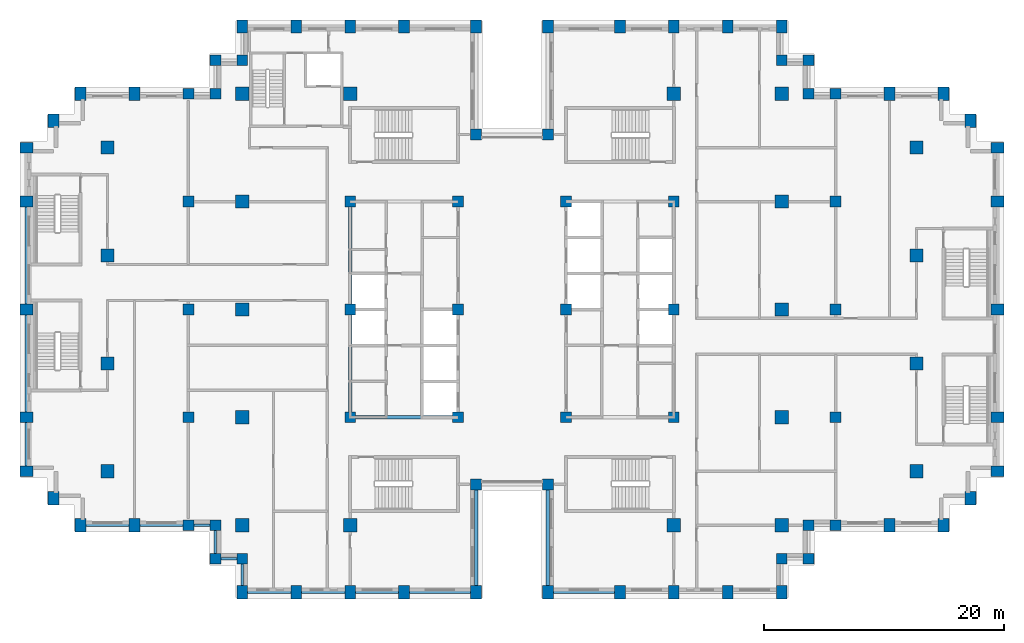
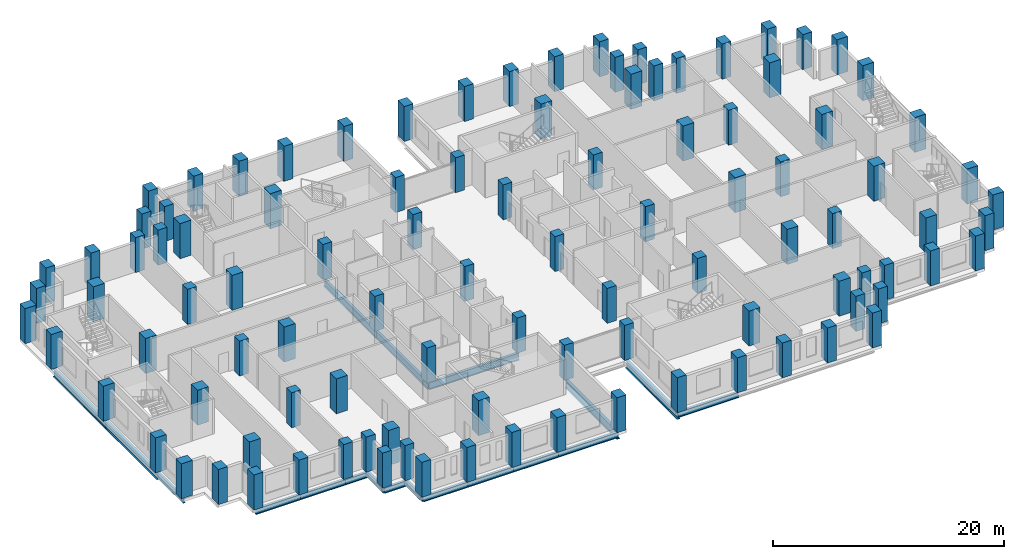
# One storey, part 1 of 15: 102 columns, 19 beams.
"""IFC4 building model written with IfcOpenShell, lengths in metres."""

from ifc_helpers import new_model, si_unit, direction, frame, origin, origin_2d, place, context, subcontext, project, spatial, rectangle, i_section, extrude, material, material_profile, profile_set, type_object, element, save


model = new_model("IFC4")

# Units and contexts
model_context = context("Model", 3, precision=1e-05, world=origin(), true_north=direction((0.0, 1.0)))
body_context = subcontext(model_context, "Body", "Model", "MODEL_VIEW")
ifc_project = project(units=[si_unit("LENGTHUNIT", "METRE"), si_unit("AREAUNIT", "SQUARE_METRE"), si_unit("VOLUMEUNIT", "CUBIC_METRE"), si_unit("PLANEANGLEUNIT", "RADIAN"), si_unit("MASSUNIT", "GRAM", prefix="KILO")], contexts=[model_context])

# Site, building, storey
site_placement = place(None, origin())
site = spatial("IfcSite", under=ifc_project, at=site_placement, CompositionType="ELEMENT")
building_placement = place(site_placement, origin())
building = spatial("IfcBuilding", under=site, at=building_placement, Name="Corbelhall Arena Tower", CompositionType="ELEMENT")
storey_placement = place(building_placement, frame((0.0, 0.0, 130.0)))
storey = spatial("IfcBuildingStorey", under=building, at=storey_placement, Name="L24", CompositionType="ELEMENT", Elevation=130.0)

# Columns
ifc_material_1 = material(Name="Concrete C80/95", Category="concrete")
ifc_material_profile_1 = material_profile(ifc_material_1, rectangle(XDim=1.10009765625, YDim=1.10009765625, at=origin_2d()))
ifc_profile_set_1 = profile_set([ifc_material_profile_1], Name="Concrete C80/95")
column_type_1 = type_object("IfcColumnType", Name="ST-COL-RC 1100x1100", PredefinedType="COLUMN", material=ifc_profile_set_1)
for number, where, z_axis, x_axis, name in (
    (1, (-33.75, 4.5, 0.0), (0.0, 0.0, 1.0), (1.0, 0.0, 0.0), "Column FIC+0450"),
    (2, (-33.75, 13.5, 0.0), (0.0, 0.0, 1.0), (1.0, 0.0, 0.0), "Column FIC+1350"),
    (3, (-33.75, -4.5, 0.0), (0.0, 0.0, 1.0), (1.0, 0.0, 0.0), "Column FIC-0450"),
    (4, (-33.75, -13.5, 0.0), (0.0, 0.0, 1.0), (1.0, 0.0, 0.0), "Column FIC-1350"),
    (5, (33.75, 4.5, 0.0), (0.0, 0.0, 1.0), (1.0, 0.0, 0.0), "Column FID+0450"),
    (6, (33.75, 13.5, 0.0), (0.0, 0.0, 1.0), (1.0, 0.0, 0.0), "Column FID+1350"),
    (7, (33.75, -4.5, 0.0), (0.0, 0.0, 1.0), (1.0, 0.0, 0.0), "Column FID-0450"),
    (8, (33.75, -13.5, 0.0), (0.0, 0.0, 1.0), (1.0, 0.0, 0.0), "Column FID-1350"),
    (9, (13.5, 18.0, 0.0), (0.0, 0.0, 1.0), (1.0, 0.0, 0.0), "Column IE13+1800"),
    (10, (13.5, -18.0, 0.0), (0.0, 0.0, 1.0), (1.0, 0.0, 0.0), "Column IE13-1800"),
    (11, (22.5, 0.0, 0.0), (0.0, 0.0, 1.0), (1.0, 0.0, 0.0), "Column IE22+0000"),
    (12, (22.5, 9.0, 0.0), (0.0, 0.0, 1.0), (1.0, 0.0, 0.0), "Column IE22+0900"),
    (13, (22.5, 18.0, 0.0), (0.0, 0.0, 1.0), (1.0, 0.0, 0.0), "Column IE22+1800"),
    (14, (22.5, -9.0, 0.0), (0.0, 0.0, 1.0), (1.0, 0.0, 0.0), "Column IE22-0900"),
    (15, (22.5, -18.0, 0.0), (0.0, 0.0, 1.0), (1.0, 0.0, 0.0), "Column IE22-1800"),
    (16, (-13.5, 18.0, 0.0), (0.0, 0.0, 1.0), (1.0, 0.0, 0.0), "Column IW13+1800"),
    (17, (-13.5, -18.0, 0.0), (0.0, 0.0, 1.0), (1.0, 0.0, 0.0), "Column IW13-1800"),
    (18, (-22.5, 0.0, 0.0), (0.0, 0.0, 1.0), (1.0, 0.0, 0.0), "Column IW22+0000"),
    (19, (-22.5, 9.0, 0.0), (0.0, 0.0, 1.0), (1.0, 0.0, 0.0), "Column IW22+0900"),
    (20, (-22.5, 18.0, 0.0), (0.0, 0.0, 1.0), (1.0, 0.0, 0.0), "Column IW22+1800"),
    (21, (-22.5, -9.0, 0.0), (0.0, 0.0, 1.0), (1.0, 0.0, 0.0), "Column IW22-0900"),
    (22, (-22.5, -18.0, 0.0), (0.0, 0.0, 1.0), (1.0, 0.0, 0.0), "Column IW22-1800"),
):
    element("IfcColumn", number, at=place(storey_placement, frame(where, z_axis=z_axis, x_axis=x_axis)), inside=storey, type_object=column_type_1, Name=name, PredefinedType="COLUMN", context=body_context, shape_type="SweptSolid", body=[
        extrude(rectangle(XDim=1.10009765625, YDim=1.10009765625, at=origin_2d()), origin(), (0.0, 0.0, 1.0), 3.699951171875),
    ])
ifc_material_profile_2 = material_profile(ifc_material_1, rectangle(XDim=0.89990234375, YDim=1.10009765625, at=origin_2d()))
ifc_profile_set_2 = profile_set([ifc_material_profile_2], Name="Concrete C80/95")
column_type_2 = type_object("IfcColumnType", Name="ST-COL-RC 900x1100", PredefinedType="COLUMN", material=ifc_profile_set_2)
for number, where, z_axis, x_axis, name in (
    (23, (-40.5, 0.0, 0.0), (0.0, 0.0, 1.0), (0.0, 1.0, 0.0), "Column FC+0000"),
    (24, (-40.5, 9.0, 0.0), (0.0, 0.0, 1.0), (0.0, 1.0, 0.0), "Column FC+0900"),
    (25, (-40.5, 13.5, 0.0), (0.0, 0.0, 1.0), (0.0, 1.0, 0.0), "Column FC+1350"),
    (26, (-40.5, -9.0, 0.0), (0.0, 0.0, 1.0), (0.0, 1.0, 0.0), "Column FC-0900"),
    (27, (-40.5, -13.5, 0.0), (0.0, 0.0, 1.0), (0.0, 1.0, 0.0), "Column FC-1350"),
    (28, (-38.25, 15.75, 0.0), (0.0, 0.0, 1.0), (1.0, 0.0, 0.0), "Column FCCN"),
    (29, (-38.25, -15.75, 0.0), (0.0, 0.0, 1.0), (1.0, 0.0, 0.0), "Column FCCS"),
    (30, (-31.5, 18.0, 0.0), (0.0, 0.0, 1.0), (1.0, 0.0, 0.0), "Column FCN3150"),
    (31, (-36.0, 18.0, 0.0), (0.0, 0.0, 1.0), (1.0, 0.0, 0.0), "Column FCN3600"),
    (32, (-31.5, -18.0, 0.0), (0.0, 0.0, 1.0), (1.0, 0.0, 0.0), "Column FCS3150"),
    (33, (-36.0, -18.0, 0.0), (0.0, 0.0, 1.0), (1.0, 0.0, 0.0), "Column FCS3600"),
    (34, (40.5, 0.0, 0.0), (0.0, 0.0, 1.0), (0.0, 1.0, 0.0), "Column FD+0000"),
    (35, (40.5, 9.0, 0.0), (0.0, 0.0, 1.0), (0.0, 1.0, 0.0), "Column FD+0900"),
    (36, (40.5, 13.5, 0.0), (0.0, 0.0, 1.0), (0.0, 1.0, 0.0), "Column FD+1350"),
    (37, (40.5, -9.0, 0.0), (0.0, 0.0, 1.0), (0.0, 1.0, 0.0), "Column FD-0900"),
    (38, (40.5, -13.5, 0.0), (0.0, 0.0, 1.0), (0.0, 1.0, 0.0), "Column FD-1350"),
    (39, (38.25, 15.75, 0.0), (0.0, 0.0, 1.0), (1.0, 0.0, 0.0), "Column FDCN"),
    (40, (38.25, -15.75, 0.0), (0.0, 0.0, 1.0), (1.0, 0.0, 0.0), "Column FDCS"),
    (41, (31.5, 18.0, 0.0), (0.0, 0.0, 1.0), (1.0, 0.0, 0.0), "Column FDN3150"),
    (42, (36.0, 18.0, 0.0), (0.0, 0.0, 1.0), (1.0, 0.0, 0.0), "Column FDN3600"),
    (43, (31.5, -18.0, 0.0), (0.0, 0.0, 1.0), (1.0, 0.0, 0.0), "Column FDS3150"),
    (44, (36.0, -18.0, 0.0), (0.0, 0.0, 1.0), (1.0, 0.0, 0.0), "Column FDS3600"),
    (45, (3.0, 23.60009765625, 0.0), (0.0, 0.0, 1.0), (1.0, 0.0, 0.0), "Column PNE0300"),
    (46, (9.0, 23.60009765625, 0.0), (0.0, 0.0, 1.0), (1.0, 0.0, 0.0), "Column PNE0900"),
    (47, (13.5, 23.60009765625, 0.0), (0.0, 0.0, 1.0), (1.0, 0.0, 0.0), "Column PNE1350"),
    (48, (18.0, 23.60009765625, 0.0), (0.0, 0.0, 1.0), (1.0, 0.0, 0.0), "Column PNE1800"),
    (49, (22.5, 23.60009765625, 0.0), (0.0, 0.0, 1.0), (1.0, 0.0, 0.0), "Column PNE2250"),
    (50, (-3.0, 23.60009765625, 0.0), (0.0, 0.0, 1.0), (1.0, 0.0, 0.0), "Column PNW0300"),
    (51, (-9.0, 23.60009765625, 0.0), (0.0, 0.0, 1.0), (1.0, 0.0, 0.0), "Column PNW0900"),
    (52, (-13.5, 23.60009765625, 0.0), (0.0, 0.0, 1.0), (1.0, 0.0, 0.0), "Column PNW1350"),
    (53, (-18.0, 23.60009765625, 0.0), (0.0, 0.0, 1.0), (1.0, 0.0, 0.0), "Column PNW1800"),
    (54, (-22.5, 23.60009765625, 0.0), (0.0, 0.0, 1.0), (1.0, 0.0, 0.0), "Column PNW2250"),
    (55, (3.0, -23.60009765625, 0.0), (0.0, 0.0, 1.0), (1.0, 0.0, 0.0), "Column PSE0300"),
    (56, (9.0, -23.60009765625, 0.0), (0.0, 0.0, 1.0), (1.0, 0.0, 0.0), "Column PSE0900"),
    (57, (13.5, -23.60009765625, 0.0), (0.0, 0.0, 1.0), (1.0, 0.0, 0.0), "Column PSE1350"),
    (58, (18.0, -23.60009765625, 0.0), (0.0, 0.0, 1.0), (1.0, 0.0, 0.0), "Column PSE1800"),
    (59, (22.5, -23.60009765625, 0.0), (0.0, 0.0, 1.0), (1.0, 0.0, 0.0), "Column PSE2250"),
    (60, (-3.0, -23.60009765625, 0.0), (0.0, 0.0, 1.0), (1.0, 0.0, 0.0), "Column PSW0300"),
    (61, (-9.0, -23.60009765625, 0.0), (0.0, 0.0, 1.0), (1.0, 0.0, 0.0), "Column PSW0900"),
    (62, (-13.5, -23.60009765625, 0.0), (0.0, 0.0, 1.0), (1.0, 0.0, 0.0), "Column PSW1350"),
    (63, (-18.0, -23.60009765625, 0.0), (0.0, 0.0, 1.0), (1.0, 0.0, 0.0), "Column PSW1800"),
    (64, (-22.5, -23.60009765625, 0.0), (0.0, 0.0, 1.0), (1.0, 0.0, 0.0), "Column PSW2250"),
):
    element("IfcColumn", number, at=place(storey_placement, frame(where, z_axis=z_axis, x_axis=x_axis)), inside=storey, type_object=column_type_2, Name=name, PredefinedType="COLUMN", context=body_context, shape_type="SweptSolid", body=[
        extrude(rectangle(XDim=0.89990234375, YDim=1.10009765625, at=origin_2d()), origin(), (0.0, 0.0, 1.0), 3.699951171875),
    ])
ifc_material_profile_3 = material_profile(ifc_material_1, rectangle(XDim=0.89990234375, YDim=0.89990234375, at=origin_2d()))
ifc_profile_set_3 = profile_set([ifc_material_profile_3], Name="Concrete C80/95")
column_type_3 = type_object("IfcColumnType", Name="ST-COL-RC 900x900", PredefinedType="COLUMN", material=ifc_profile_set_3)
for number, where, z_axis, x_axis, name in (
    (65, (4.5, 0.0, 0.0), (0.0, 0.0, 1.0), (1.0, 0.0, 0.0), "Column KE+0450+0000"),
    (66, (4.5, 9.0, 0.0), (0.0, 0.0, 1.0), (1.0, 0.0, 0.0), "Column KE+0450+0900"),
    (67, (4.5, -9.0, 0.0), (0.0, 0.0, 1.0), (1.0, 0.0, 0.0), "Column KE+0450-0900"),
    (68, (13.5, 0.0, 0.0), (0.0, 0.0, 1.0), (1.0, 0.0, 0.0), "Column KE+1350+0000"),
    (69, (13.5, 9.0, 0.0), (0.0, 0.0, 1.0), (1.0, 0.0, 0.0), "Column KE+1350+0900"),
    (70, (13.5, -9.0, 0.0), (0.0, 0.0, 1.0), (1.0, 0.0, 0.0), "Column KE+1350-0900"),
    (71, (-4.5, 0.0, 0.0), (0.0, 0.0, 1.0), (1.0, 0.0, 0.0), "Column KW-0450+0000"),
    (72, (-4.5, 9.0, 0.0), (0.0, 0.0, 1.0), (1.0, 0.0, 0.0), "Column KW-0450+0900"),
    (73, (-4.5, -9.0, 0.0), (0.0, 0.0, 1.0), (1.0, 0.0, 0.0), "Column KW-0450-0900"),
    (74, (-13.5, 0.0, 0.0), (0.0, 0.0, 1.0), (1.0, 0.0, 0.0), "Column KW-1350+0000"),
    (75, (-13.5, 9.0, 0.0), (0.0, 0.0, 1.0), (1.0, 0.0, 0.0), "Column KW-1350+0900"),
    (76, (-13.5, -9.0, 0.0), (0.0, 0.0, 1.0), (1.0, 0.0, 0.0), "Column KW-1350-0900"),
    (77, (27.0, 0.0, 0.0), (0.0, 0.0, 1.0), (1.0, 0.0, 0.0), "Column PE+0000"),
    (78, (27.0, 9.0, 0.0), (0.0, 0.0, 1.0), (1.0, 0.0, 0.0), "Column PE+0900"),
    (79, (27.0, 18.0, 0.0), (0.0, 0.0, 1.0), (1.0, 0.0, 0.0), "Column PE+1800"),
    (80, (27.0, -9.0, 0.0), (0.0, 0.0, 1.0), (1.0, 0.0, 0.0), "Column PE-0900"),
    (81, (27.0, -18.0, 0.0), (0.0, 0.0, 1.0), (1.0, 0.0, 0.0), "Column PE-1800"),
    (82, (-27.0, 0.0, 0.0), (0.0, 0.0, 1.0), (1.0, 0.0, 0.0), "Column PW+0000"),
    (83, (-27.0, 9.0, 0.0), (0.0, 0.0, 1.0), (1.0, 0.0, 0.0), "Column PW+0900"),
    (84, (-27.0, 18.0, 0.0), (0.0, 0.0, 1.0), (1.0, 0.0, 0.0), "Column PW+1800"),
    (85, (-27.0, -9.0, 0.0), (0.0, 0.0, 1.0), (1.0, 0.0, 0.0), "Column PW-0900"),
    (86, (-27.0, -18.0, 0.0), (0.0, 0.0, 1.0), (1.0, 0.0, 0.0), "Column PW-1800"),
    (87, (3.0, 14.60009765625, 0.0), (0.0, 0.0, 1.0), (1.0, 0.0, 0.0), "Column SLNE2"),
    (88, (-3.0, 14.60009765625, 0.0), (0.0, 0.0, 1.0), (1.0, 0.0, 0.0), "Column SLNW2"),
    (89, (3.0, -14.60009765625, 0.0), (0.0, 0.0, 1.0), (1.0, 0.0, 0.0), "Column SLSE2"),
    (90, (-3.0, -14.60009765625, 0.0), (0.0, 0.0, 1.0), (1.0, 0.0, 0.0), "Column SLSW2"),
    (91, (22.5, 20.800048828125, 0.0), (0.0, 0.0, 1.0), (1.0, 0.0, 0.0), "Column XNE1"),
    (92, (24.75, 20.800048828125, 0.0), (0.0, 0.0, 1.0), (1.0, 0.0, 0.0), "Column XNE2"),
    (93, (24.75, 18.0, 0.0), (0.0, 0.0, 1.0), (1.0, 0.0, 0.0), "Column XNE3"),
    (94, (-22.5, 20.800048828125, 0.0), (0.0, 0.0, 1.0), (1.0, 0.0, 0.0), "Column XNW1"),
    (95, (-24.75, 20.800048828125, 0.0), (0.0, 0.0, 1.0), (1.0, 0.0, 0.0), "Column XNW2"),
    (96, (-24.75, 18.0, 0.0), (0.0, 0.0, 1.0), (1.0, 0.0, 0.0), "Column XNW3"),
    (97, (22.5, -20.800048828125, 0.0), (0.0, 0.0, 1.0), (1.0, 0.0, 0.0), "Column XSE1"),
    (98, (24.75, -20.800048828125, 0.0), (0.0, 0.0, 1.0), (1.0, 0.0, 0.0), "Column XSE2"),
    (99, (24.75, -18.0, 0.0), (0.0, 0.0, 1.0), (1.0, 0.0, 0.0), "Column XSE3"),
    (100, (-22.5, -20.800048828125, 0.0), (0.0, 0.0, 1.0), (1.0, 0.0, 0.0), "Column XSW1"),
    (101, (-24.75, -20.800048828125, 0.0), (0.0, 0.0, 1.0), (1.0, 0.0, 0.0), "Column XSW2"),
    (102, (-24.75, -18.0, 0.0), (0.0, 0.0, 1.0), (1.0, 0.0, 0.0), "Column XSW3"),
):
    element("IfcColumn", number, at=place(storey_placement, frame(where, z_axis=z_axis, x_axis=x_axis)), inside=storey, type_object=column_type_3, Name=name, PredefinedType="COLUMN", context=body_context, shape_type="SweptSolid", body=[
        extrude(rectangle(XDim=0.89990234375, YDim=0.89990234375, at=origin_2d()), origin(), (0.0, 0.0, 1.0), 3.699951171875),
    ])

# Beams
ifc_material_2 = material(Name="Steel ASTM A992 Gr50", Category="steel")
ifc_material_profile_4 = material_profile(ifc_material_2, i_section(OverallWidth=0.2666015625, OverallDepth=0.761962890625, WebThickness=0.014404296875, FlangeThickness=0.021484375, at=origin_2d()))
ifc_profile_set_4 = profile_set([ifc_material_profile_4], Name="Steel ASTM A992 Gr50")
beam_type_1 = type_object("IfcBeamType", Name="ST-BEAM-W30x116", PredefinedType="BEAM", material=ifc_profile_set_4)
for number, where, z_axis, x_axis, name in (
    (103, (-13.5, -9.0, -0.680908203125), (0.0, 1.0, 0.0), (-1.0, 0.0, 0.0), "Beam CEW 1"),
    (104, (-13.5, 0.0, -0.680908203125), (0.0, 1.0, 0.0), (-1.0, 0.0, 0.0), "Beam CEW 2"),
    (105, (-13.5, -9.0, -0.680908203125), (1.0, 0.0, 0.0), (0.0, 1.0, 0.0), "Beam CEW 5"),
):
    element("IfcBeam", number, at=place(storey_placement, frame(where, z_axis=z_axis, x_axis=x_axis)), inside=storey, type_object=beam_type_1, Name=name, PredefinedType="BEAM", context=body_context, shape_type="SweptSolid", body=[
        extrude(i_section(OverallWidth=0.2666015625, OverallDepth=0.761962890625, WebThickness=0.014404296875, FlangeThickness=0.021484375, at=origin_2d()), origin(), (0.0, 0.0, 1.0), 9.0),
    ])
ifc_material_profile_5 = material_profile(ifc_material_2, i_section(OverallWidth=0.22900390625, OverallDepth=0.612060546875, WebThickness=0.011962890625, FlangeThickness=0.01953125, at=origin_2d()))
ifc_profile_set_5 = profile_set([ifc_material_profile_5], Name="Steel ASTM A992 Gr50")
beam_type_2 = type_object("IfcBeamType", Name="ST-SPANDREL-W24x84", PredefinedType="SPANDREL", material=ifc_profile_set_5)
for number, where, z_axis, x_axis, name in (
    (106, (-40.5, -13.5, -0.60595703125), (0.0, 1.0, 0.0), (-1.0, 0.0, 0.0), "Beam SP 4"),
    (107, (-31.5, -18.0, -0.60595703125), (-1.0, 0.0, 0.0), (0.0, -1.0, 0.0), "Beam SP 7"),
):
    element("IfcBeam", number, at=place(storey_placement, frame(where, z_axis=z_axis, x_axis=x_axis)), inside=storey, type_object=beam_type_2, Name=name, PredefinedType="SPANDREL", context=body_context, shape_type="SweptSolid", body=[
        extrude(i_section(OverallWidth=0.22900390625, OverallDepth=0.612060546875, WebThickness=0.011962890625, FlangeThickness=0.01953125, at=origin_2d()), origin(), (0.0, 0.0, 1.0), 4.5),
    ])
for number, where, z_axis, x_axis, name in (
    (108, (9.0, -23.60009765625, -0.60595703125), (-1.0, 0.0, 0.0), (0.0, -1.0, 0.0), "Beam SP 28"),
    (109, (-3.0, -23.60009765625, -0.60595703125), (-1.0, 0.0, 0.0), (0.0, -1.0, 0.0), "Beam SP 32"),
):
    element("IfcBeam", number, at=place(storey_placement, frame(where, z_axis=z_axis, x_axis=x_axis)), inside=storey, type_object=beam_type_2, Name=name, PredefinedType="SPANDREL", context=body_context, shape_type="SweptSolid", body=[
        extrude(i_section(OverallWidth=0.22900390625, OverallDepth=0.612060546875, WebThickness=0.011962890625, FlangeThickness=0.01953125, at=origin_2d()), origin(), (0.0, 0.0, 1.0), 6.0),
    ])
for number, where, z_axis, x_axis, name in (
    (110, (-9.0, -23.60009765625, -0.60595703125), (-1.0, 0.0, 0.0), (0.0, -1.0, 0.0), "Beam SP 33"),
    (111, (-13.5, -23.60009765625, -0.60595703125), (-1.0, 0.0, 0.0), (0.0, -1.0, 0.0), "Beam SP 34"),
    (112, (-18.0, -23.60009765625, -0.60595703125), (-1.0, 0.0, 0.0), (0.0, -1.0, 0.0), "Beam SP 35"),
):
    element("IfcBeam", number, at=place(storey_placement, frame(where, z_axis=z_axis, x_axis=x_axis)), inside=storey, type_object=beam_type_2, Name=name, PredefinedType="SPANDREL", context=body_context, shape_type="SweptSolid", body=[
        extrude(i_section(OverallWidth=0.22900390625, OverallDepth=0.612060546875, WebThickness=0.011962890625, FlangeThickness=0.01953125, at=origin_2d()), origin(), (0.0, 0.0, 1.0), 4.5),
    ])
beam_1_placement = place(storey_placement, frame((-22.5, -23.60009765625, -0.60595703125), z_axis=(0.0, 1.0, 0.0), x_axis=(-1.0, 0.0, 0.0)))
element("IfcBeam", 113, at=beam_1_placement, inside=storey, type_object=beam_type_2, Name="Beam SP 36", PredefinedType="SPANDREL", context=body_context, shape_type="SweptSolid", body=[
    extrude(i_section(OverallWidth=0.22900390625, OverallDepth=0.612060546875, WebThickness=0.011962890625, FlangeThickness=0.01953125, at=origin_2d()), origin(), (0.0, 0.0, 1.0), 2.800048828125),
])
beam_2_placement = place(storey_placement, frame((-27.0, -18.0, -0.60595703125), z_axis=(-1.0, 0.0, 0.0), x_axis=(0.0, -1.0, 0.0)))
element("IfcBeam", 114, at=beam_2_placement, inside=storey, type_object=beam_type_2, Name="Beam SP 38", PredefinedType="SPANDREL", context=body_context, shape_type="SweptSolid", body=[
    extrude(i_section(OverallWidth=0.22900390625, OverallDepth=0.612060546875, WebThickness=0.011962890625, FlangeThickness=0.01953125, at=origin_2d()), origin(), (0.0, 0.0, 1.0), 4.5),
])
beam_3_placement = place(storey_placement, frame((-22.5, -20.800048828125, -0.60595703125), z_axis=(-1.0, 0.0, 0.0), x_axis=(0.0, -1.0, 0.0)))
element("IfcBeam", 115, at=beam_3_placement, inside=storey, type_object=beam_type_2, Name="Beam SP 52", PredefinedType="SPANDREL", context=body_context, shape_type="SweptSolid", body=[
    extrude(i_section(OverallWidth=0.22900390625, OverallDepth=0.612060546875, WebThickness=0.011962890625, FlangeThickness=0.01953125, at=origin_2d()), origin(), (0.0, 0.0, 1.0), 2.25),
])
beam_4_placement = place(storey_placement, frame((-24.75, -20.800048828125, -0.60595703125), z_axis=(0.0, 1.0, 0.0), x_axis=(-1.0, 0.0, 0.0)))
element("IfcBeam", 116, at=beam_4_placement, inside=storey, type_object=beam_type_2, Name="Beam SP 53", PredefinedType="SPANDREL", context=body_context, shape_type="SweptSolid", body=[
    extrude(i_section(OverallWidth=0.22900390625, OverallDepth=0.612060546875, WebThickness=0.011962890625, FlangeThickness=0.01953125, at=origin_2d()), origin(), (0.0, 0.0, 1.0), 2.800048828125),
])
beam_5_placement = place(storey_placement, frame((-24.75, -18.0, -0.60595703125), z_axis=(-1.0, 0.0, 0.0), x_axis=(0.0, -1.0, 0.0)))
element("IfcBeam", 117, at=beam_5_placement, inside=storey, type_object=beam_type_2, Name="Beam SP 54", PredefinedType="SPANDREL", context=body_context, shape_type="SweptSolid", body=[
    extrude(i_section(OverallWidth=0.22900390625, OverallDepth=0.612060546875, WebThickness=0.011962890625, FlangeThickness=0.01953125, at=origin_2d()), origin(), (0.0, 0.0, 1.0), 2.25),
])
ifc_material_profile_6 = material_profile(ifc_material_2, i_section(OverallWidth=0.2919921875, OverallDepth=0.845703125, WebThickness=0.015380859375, FlangeThickness=0.0244140625, at=origin_2d()))
ifc_profile_set_6 = profile_set([ifc_material_profile_6], Name="Steel ASTM A992 Gr50")
beam_type_3 = type_object("IfcBeamType", Name="ST-SPANDREL-W33x141", PredefinedType="SPANDREL", material=ifc_profile_set_6)
for number, where, z_axis, x_axis, name in (
    (118, (-40.5, 0.0, -0.722900390625), (0.0, 1.0, 0.0), (-1.0, 0.0, 0.0), "Beam SP 1"),
    (119, (-40.5, -9.0, -0.722900390625), (0.0, 1.0, 0.0), (-1.0, 0.0, 0.0), "Beam SP 3"),
    (120, (3.0, -23.60009765625, -0.722900390625), (0.0, 1.0, 0.0), (-1.0, 0.0, 0.0), "Beam SP 27"),
    (121, (-3.0, -14.60009765625, -0.722900390625), (0.0, -1.0, 0.0), (1.0, 0.0, 0.0), "Beam SP 42"),
):
    element("IfcBeam", number, at=place(storey_placement, frame(where, z_axis=z_axis, x_axis=x_axis)), inside=storey, type_object=beam_type_3, Name=name, PredefinedType="SPANDREL", context=body_context, shape_type="SweptSolid", body=[
        extrude(i_section(OverallWidth=0.2919921875, OverallDepth=0.845703125, WebThickness=0.015380859375, FlangeThickness=0.0244140625, at=origin_2d()), origin(), (0.0, 0.0, 1.0), 9.0),
    ])

save(model, "model.ifc")
